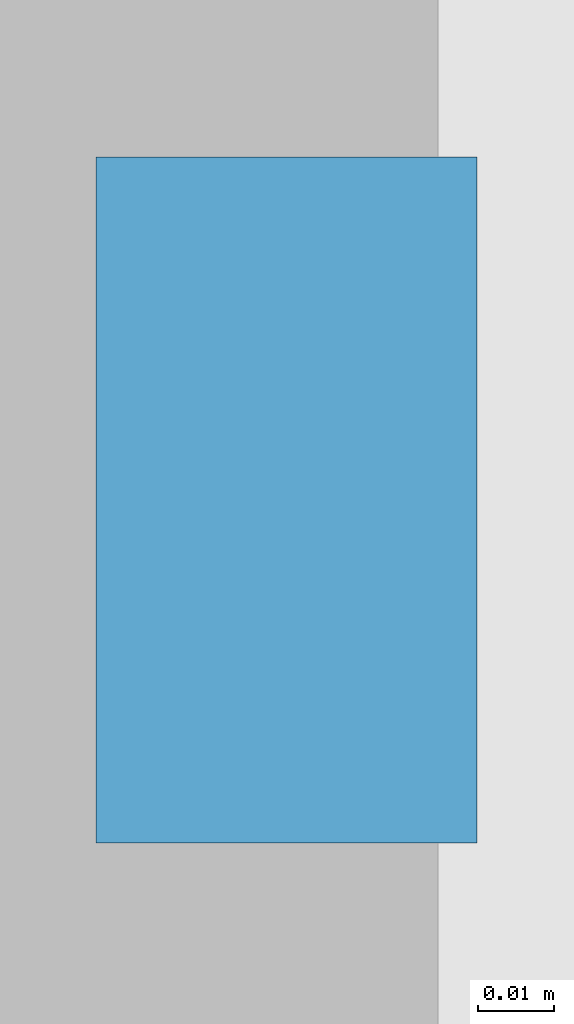
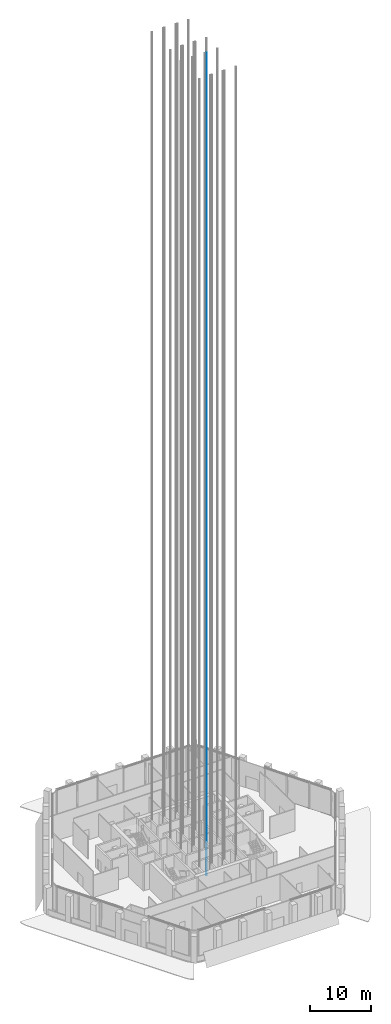
# One storey, part 25 of 42: 1 discrete accessory.
"""IFC4 building model written with IfcOpenShell, lengths in metres."""

from ifc_helpers import new_model, si_unit, direction, frame, origin, origin_2d, place, context, subcontext, project, spatial, rectangle, extrude, element, save


model = new_model("IFC4")

# Units and contexts
model_context = context("Model", 3, precision=1e-05, world=origin(), true_north=direction((0.0, 1.0)))
body_context = subcontext(model_context, "Body", "Model", "MODEL_VIEW")
ifc_project = project(units=[si_unit("LENGTHUNIT", "METRE"), si_unit("AREAUNIT", "SQUARE_METRE"), si_unit("VOLUMEUNIT", "CUBIC_METRE"), si_unit("PLANEANGLEUNIT", "RADIAN"), si_unit("MASSUNIT", "GRAM", prefix="KILO")], contexts=[model_context])

# Site, building, storey
site_placement = place(None, origin())
site = spatial("IfcSite", under=ifc_project, at=site_placement, CompositionType="ELEMENT")
building_placement = place(site_placement, origin())
building = spatial("IfcBuilding", under=site, at=building_placement, Name="Kolab Exchange Tower", CompositionType="ELEMENT")
storey_placement = place(building_placement, frame((0.0, 0.0, 133.39990234375)))
storey = spatial("IfcBuildingStorey", under=building, at=storey_placement, Name="L26", CompositionType="ELEMENT", Elevation=133.39990234375)

# Discrete accessory
discrete_accessory_placement = place(storey_placement, frame((1.330078125, -1.800048828125, -1.599853515625), z_axis=(0.0, 0.0, 1.0), x_axis=(1.0, 0.0, 0.0)))
element("IfcDiscreteAccessory", 1, at=discrete_accessory_placement, inside=storey, Name="Guide rail HR9-1", ObjectType="GUIDE RAIL", PredefinedType="USERDEFINED", context=body_context, shape_type="SweptSolid", body=[
    extrude(rectangle(XDim=0.050048828125, YDim=0.090087890625, at=origin_2d()), origin(), (0.0, 0.0, 1.0), 165.60009765625),
])

save(model, "model.ifc")
